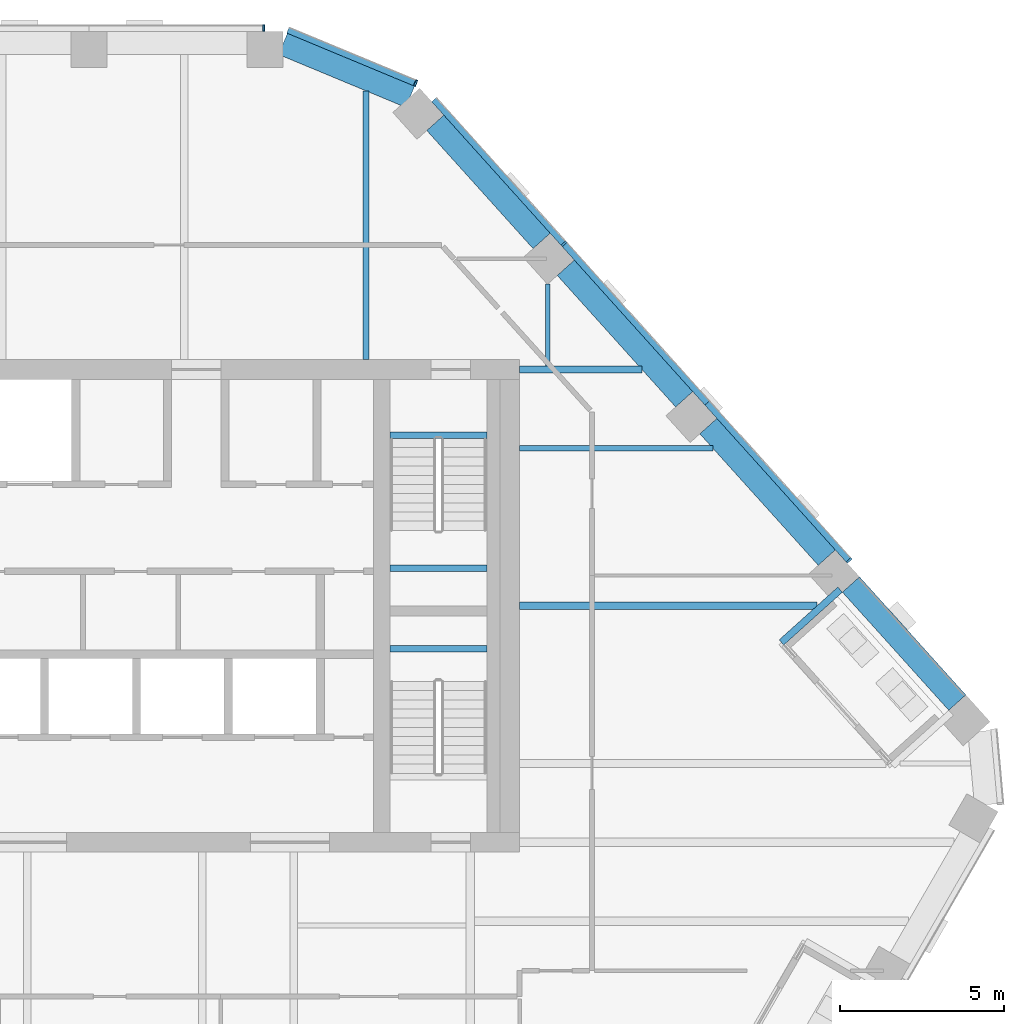
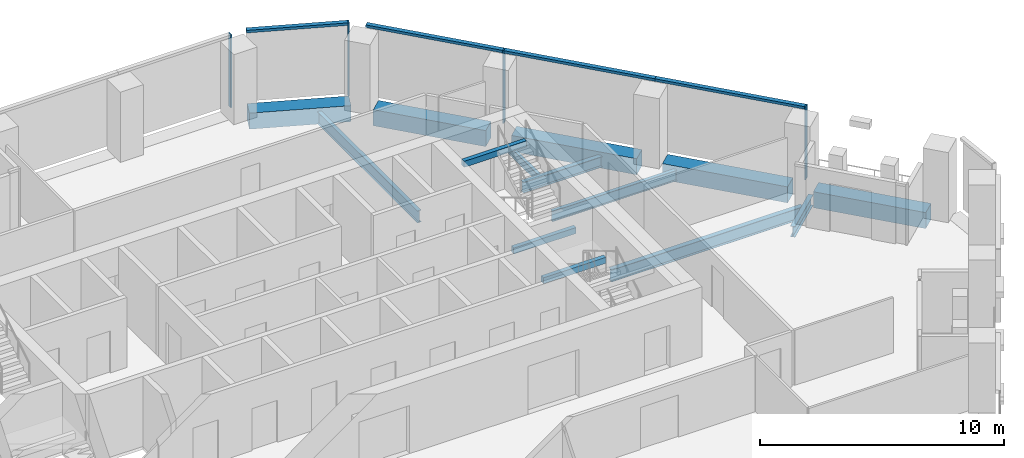
# One storey, part 9 of 25: 14 beams, 8 members, 3 elements without a shape of their own.
"""IFC4 building model written with IfcOpenShell, lengths in metres."""

import ifcopenshell
import ifcopenshell.guid

model = None  # the IFC model being written
_history = None  # IfcOwnerHistory: only IFC2X3 demands one
_inside = {}  # id of a spatial element -> (the spatial element, [elements in it])
_under = {}  # id of a project, library or spatial element -> (it, [spatial elements below it])
_declared = {}  # id of a project -> (the project, [libraries it declares])
_typed = {}  # id of a type object -> (the type object, [elements of that type])
_made_of = {}  # id of a material, layer set ... -> (it, [elements and type objects made of it])


def new_model(schema):
    """Start an empty IFC model of exactly this schema.

    Asked for "IFC4X3", IfcOpenShell would pick the latest addendum, in which some entities
    have other attributes; the version numbers below select the first issue.
    IFC2X3 requires an IfcOwnerHistory on every rooted entity: one is made here for all.
    """
    global model, _history
    if schema == "IFC4X3":
        model = ifcopenshell.file(schema_version=(4, 3, 0, 0))
    else:
        model = ifcopenshell.file(schema=schema)
    _inside.clear()
    _under.clear()
    _declared.clear()
    _typed.clear()
    _made_of.clear()
    _history = None
    if model.schema == "IFC2X3":
        org = make("IfcOrganization", Name="unknown")
        user = make(
            "IfcPersonAndOrganization",
            ThePerson=make("IfcPerson", FamilyName="unknown"),
            TheOrganization=org,
        )
        app = make(
            "IfcApplication",
            ApplicationDeveloper=org,
            Version="unknown",
            ApplicationFullName="unknown",
            ApplicationIdentifier="unknown",
        )
        _history = make(
            "IfcOwnerHistory",
            OwningUser=user,
            OwningApplication=app,
            ChangeAction="ADDED",
            CreationDate=0,
        )
    return model


def make(cls, **values):
    """One entity of the class cls with the attributes given. An attribute that is None is left unset."""
    return model.create_entity(
        cls, **{name: value for name, value in values.items() if value is not None}
    )


def rooted(cls, **values):
    """An entity with a GlobalId (a new one), such as an element, a storey or a relation."""
    return make(cls, GlobalId=ifcopenshell.guid.new(), OwnerHistory=_history, **values)


def si_unit(unit_type, name, prefix=None):
    """IfcSIUnit, for example si_unit("LENGTHUNIT", "METRE", prefix="MILLI")."""
    return make("IfcSIUnit", UnitType=unit_type, Prefix=prefix, Name=name)


def assignment(units):
    """IfcUnitAssignment: the units of a project."""
    return None if units is None else make("IfcUnitAssignment", Units=units)


def point(xyz):
    """IfcCartesianPoint."""
    return None if xyz is None else make("IfcCartesianPoint", Coordinates=xyz)


def direction(xyz):
    """IfcDirection."""
    return None if xyz is None else make("IfcDirection", DirectionRatios=xyz)


def frame(location, z_axis=None, x_axis=None):
    """IfcAxis2Placement3D, a coordinate frame: its origin and axes. An axis left out is left unset."""
    return make(
        "IfcAxis2Placement3D",
        Location=point(location),
        Axis=direction(z_axis),
        RefDirection=direction(x_axis),
    )


def frame_2d(location, x_axis=None):
    """IfcAxis2Placement2D, a coordinate frame in the plane: its origin and x axis."""
    return make(
        "IfcAxis2Placement2D", Location=point(location), RefDirection=direction(x_axis)
    )


def origin():
    """The frame at (0, 0, 0) with its axes left unset."""
    return frame((0.0, 0.0, 0.0))


def origin_2d():
    """The frame at (0, 0) in the plane with its x axis left unset."""
    return frame_2d((0.0, 0.0))


def place(relative_to, where):
    """IfcLocalPlacement: puts the frame where relative to a parent placement (None: the world)."""
    return make(
        "IfcLocalPlacement", PlacementRelTo=relative_to, RelativePlacement=where
    )


def context(
    kind, dimensions, precision=None, world=None, true_north=None, identifier=None
):
    """IfcGeometricRepresentationContext, for example the 3D "Model" context."""
    return make(
        "IfcGeometricRepresentationContext",
        ContextIdentifier=identifier,
        ContextType=kind,
        CoordinateSpaceDimension=dimensions,
        Precision=precision,
        WorldCoordinateSystem=world,
        TrueNorth=true_north,
    )


def subcontext(parent, identifier, kind, view, scale=None):
    """IfcGeometricRepresentationSubContext, for example "Body" below "Model"."""
    return make(
        "IfcGeometricRepresentationSubContext",
        ContextIdentifier=identifier,
        ContextType=kind,
        ParentContext=parent,
        TargetScale=scale,
        TargetView=view,
    )


def project(units=None, contexts=None):
    """IfcProject with its units and contexts."""
    return rooted(
        "IfcProject",
        Name="project",
        RepresentationContexts=contexts,
        UnitsInContext=assignment(units),
    )


def spatial(cls, under=None, at=None, **own):
    """A site, building, storey or space (cls), placed at a placement, below another one or the project."""
    s = rooted(cls, ObjectPlacement=at, **own)
    if under is not None:
        _under.setdefault(under.id(), (under, []))[1].append(s)
    return s


def profile(cls, at=None, kind="AREA", **sizes):
    """A parametric profile (cls). Its sizes go by their IFC names, for example OverallWidth=200.0."""
    return make(cls, ProfileType=kind, Position=at, **sizes)


def rectangle(**sizes):
    """IfcRectangleProfileDef."""
    return profile("IfcRectangleProfileDef", **sizes)


def i_section(**sizes):
    """IfcIShapeProfileDef."""
    return profile("IfcIShapeProfileDef", **sizes)


def extrude(swept, where, along, depth):
    """IfcExtrudedAreaSolid: the profile swept, set in the frame where, extruded along a direction by depth."""
    return make(
        "IfcExtrudedAreaSolid",
        SweptArea=swept,
        Position=where,
        ExtrudedDirection=direction(along),
        Depth=depth,
    )


def shape(context_of_items, identifier, shape_type, items):
    """IfcShapeRepresentation: the items that make up one representation, for example the "Body"."""
    return make(
        "IfcShapeRepresentation",
        ContextOfItems=context_of_items,
        RepresentationIdentifier=identifier,
        RepresentationType=shape_type,
        Items=items,
    )


def material(Name=None, Category=None):
    """IfcMaterial."""
    return make("IfcMaterial", Name=Name, Category=Category)


def layer(
    of_material, thickness, ventilated=None, Name=None, Category=None, Priority=None
):
    """IfcMaterialLayer: one layer of a wall or slab, of a material (None: an air gap)."""
    return make(
        "IfcMaterialLayer",
        Material=of_material,
        LayerThickness=thickness,
        IsVentilated=ventilated,
        Name=Name,
        Category=Category,
        Priority=Priority,
    )


def layer_set(layers, Name=None):
    """IfcMaterialLayerSet."""
    return make("IfcMaterialLayerSet", MaterialLayers=layers, LayerSetName=Name)


def material_profile(
    of_material, cross_section, Name=None, Category=None, Priority=None
):
    """IfcMaterialProfile: a cross section and its material."""
    return make(
        "IfcMaterialProfile",
        Name=Name,
        Material=of_material,
        Profile=cross_section,
        Priority=Priority,
        Category=Category,
    )


def profile_set(profiles, Name=None, composite=None):
    """IfcMaterialProfileSet."""
    return make(
        "IfcMaterialProfileSet",
        Name=Name,
        MaterialProfiles=profiles,
        CompositeProfile=composite,
    )


def made_of(thing, what):
    """Note that an element or type object is made of a material, layer set ...; save() writes the relation."""
    if what is not None:
        _made_of.setdefault(what.id(), (what, []))[1].append(thing)
    return thing


def type_object(cls, material=None, **own):
    """A type object (cls), such as IfcWallType, which elements share."""
    return made_of(rooted(cls, **own), material)


def element(
    cls,
    number,
    at=None,
    inside=None,
    cuts=None,
    type_object=None,
    material=None,
    context=None,
    identifier="Body",
    shape_type=None,
    held_by="IfcProductDefinitionShape",
    body=None,
    shapes=None,
    **own,
):
    """One element of the class cls, such as IfcWall. Its Tag is "e" and its number.

    at: its placement. inside: the storey or other place that contains it. cuts: it is an
    opening in that element (IfcRelVoidsElement). A single representation is given by context,
    identifier, shape_type and body (its items); several are given by shapes. held_by: the class
    of the entity that holds the representations. save() writes the other relations.
    """
    e = rooted(cls, Tag="e%d" % number, ObjectPlacement=at, **own)
    if body is not None:
        shapes = [shape(context, identifier, shape_type, body)]
    if shapes is not None:
        e.Representation = make(held_by, Representations=shapes)
    if inside is not None:
        _inside.setdefault(inside.id(), (inside, []))[1].append(e)
    if cuts is not None:
        rooted(
            "IfcRelVoidsElement", RelatingBuildingElement=cuts, RelatedOpeningElement=e
        )
    if type_object is not None:
        _typed.setdefault(type_object.id(), (type_object, []))[1].append(e)
    return made_of(e, material)


def aggregate(whole, parts):
    """IfcRelAggregates: a whole, such as a stair, and the parts it consists of."""
    return rooted("IfcRelAggregates", RelatingObject=whole, RelatedObjects=parts)


def save(model, path):
    """Write the relations noted so far, then the file.

    IfcRelAggregates (storeys below a building ...), IfcRelContainedInSpatialStructure (elements
    in a storey), IfcRelDefinesByType, IfcRelAssociatesMaterial and IfcRelDeclares: one each for
    every whole, place, type object, material and project.
    """
    for whole, parts in _under.values():
        aggregate(whole, parts)
    for where, things in _inside.values():
        rooted(
            "IfcRelContainedInSpatialStructure",
            RelatedElements=things,
            RelatingStructure=where,
        )
    for kind, things in _typed.values():
        rooted("IfcRelDefinesByType", RelatedObjects=things, RelatingType=kind)
    for what, things in _made_of.values():
        rooted("IfcRelAssociatesMaterial", RelatedObjects=things, RelatingMaterial=what)
    for by, libraries in _declared.values():
        rooted("IfcRelDeclares", RelatingContext=by, RelatedDefinitions=libraries)
    model.write(path)


model = new_model("IFC4")

# Units and contexts
model_context = context("Model", 3, precision=1e-05, world=origin(), true_north=direction((0.0, 1.0)))
body_context = subcontext(model_context, "Body", "Model", "MODEL_VIEW")
ifc_project = project(units=[si_unit("LENGTHUNIT", "METRE"), si_unit("AREAUNIT", "SQUARE_METRE"), si_unit("VOLUMEUNIT", "CUBIC_METRE"), si_unit("PLANEANGLEUNIT", "RADIAN"), si_unit("MASSUNIT", "GRAM", prefix="KILO")], contexts=[model_context])

# Site, building, storey
site_placement = place(None, origin())
site = spatial("IfcSite", under=ifc_project, at=site_placement, CompositionType="ELEMENT")
building_placement = place(site_placement, origin())
building = spatial("IfcBuilding", under=site, at=building_placement, Name="Isthmus Gate Tower", CompositionType="ELEMENT")
storey_placement = place(building_placement, frame((0.0, 0.0, 249.14990234375)))
storey = spatial("IfcBuildingStorey", under=building, at=storey_placement, Name="L63", CompositionType="ELEMENT", Elevation=249.14990234375)

# Curtain wall, member
ifc_material_1 = material(Name="Aluminium, pale champagne anodised", Category="aluminium")
ifc_layer = layer(ifc_material_1, 0.199951171875)
ifc_layer_set = layer_set([ifc_layer], Name="CW-1 UNITISED CURTAIN WALL 200 DEEP")
curtain_wall_type = type_object("IfcCurtainWallType", Name="CW-1 UNITISED CURTAIN WALL 200 DEEP", PredefinedType="NOTDEFINED", material=ifc_layer_set)
curtain_wall_1_placement = place(storey_placement, origin())
curtain_wall_1 = element("IfcCurtainWall", 1, at=curtain_wall_1_placement, inside=storey, type_object=curtain_wall_type, Name="CW-1 N L63", PredefinedType="NOTDEFINED")
ifc_material_2 = material(Name="Aluminium, pale champagne anodised", Category="aluminium")
ifc_material_profile_1 = material_profile(ifc_material_2, rectangle(XDim=0.06005859375, YDim=0.199951171875, at=origin_2d()), Name="60x200")
ifc_profile_set_1 = profile_set([ifc_material_profile_1], Name="Aluminium, pale champagne anodised")
member_type_1 = type_object("IfcMemberType", Name="CW-1 MULLION 60 X 200", PredefinedType="MULLION", material=ifc_profile_set_1)
member_1_placement = place(storey_placement, frame((7.211181640625, 25.10009765625, 0.0), z_axis=(0.0, 0.0, 1.0), x_axis=(-1.0, 0.0, 0.0)))
member_1 = element("IfcMember", 2, at=member_1_placement, type_object=member_type_1, Name="CW-1 mullion", PredefinedType="MULLION", context=body_context, shape_type="SweptSolid", body=[
    extrude(rectangle(XDim=0.06005859375, YDim=0.199951171875, at=origin_2d()), origin(), (0.0, 0.0, 1.0), 3.650146484375),
])
aggregate(curtain_wall_1, [member_1])

# Curtain wall, members
curtain_wall_2_placement = place(storey_placement, origin())
curtain_wall_2 = element("IfcCurtainWall", 3, at=curtain_wall_2_placement, inside=storey, type_object=curtain_wall_type, Name="CW-1 NE L63", PredefinedType="NOTDEFINED")
member_2_placement = place(storey_placement, frame((25.040283203125, 8.884765625, 0.0), z_axis=(0.0, 0.0, 1.0), x_axis=(-0.669130606359, 0.743144825477, 0.0)))
member_2 = element("IfcMember", 4, at=member_2_placement, type_object=member_type_1, Name="CW-1 mullion", PredefinedType="MULLION", context=body_context, shape_type="SweptSolid", body=[
    extrude(rectangle(XDim=0.06005859375, YDim=0.199951171875, at=origin_2d()), origin(), (0.0, 0.0, 1.0), 3.650146484375),
])
member_3_placement = place(storey_placement, frame((16.3525390625, 18.53369140625, 0.0), z_axis=(0.0, 0.0, 1.0), x_axis=(-0.669130606359, 0.743144825477, 0.0)))
member_3 = element("IfcMember", 5, at=member_3_placement, type_object=member_type_1, Name="CW-1 mullion", PredefinedType="MULLION", context=body_context, shape_type="SweptSolid", body=[
    extrude(rectangle(XDim=0.06005859375, YDim=0.199951171875, at=origin_2d()), origin(), (0.0, 0.0, 1.0), 3.650146484375),
])

# Curtain wall, member
curtain_wall_3_placement = place(storey_placement, origin())
curtain_wall_3 = element("IfcCurtainWall", 6, at=curtain_wall_3_placement, inside=storey, type_object=curtain_wall_type, Name="CW-1 NE-N L63", PredefinedType="NOTDEFINED")
member_4_placement = place(storey_placement, frame((11.83349609375, 23.427490234375, 0.0), z_axis=(0.0, 0.0, 1.0), x_axis=(-0.923353128387, 0.383951820282, 0.0)))
member_4 = element("IfcMember", 7, at=member_4_placement, type_object=member_type_1, Name="CW-1 mullion", PredefinedType="MULLION", context=body_context, shape_type="SweptSolid", body=[
    extrude(rectangle(XDim=0.06005859375, YDim=0.199951171875, at=origin_2d()), origin(), (0.0, 0.0, 1.0), 3.650146484375),
])

# Member
ifc_material_3 = material(Name="Aluminium, pale champagne anodised", Category="aluminium")
ifc_material_profile_2 = material_profile(ifc_material_3, rectangle(XDim=0.199951171875, YDim=0.1298828125, at=origin_2d()), Name="200x130")
ifc_profile_set_2 = profile_set([ifc_material_profile_2], Name="Aluminium, pale champagne anodised")
member_type_2 = type_object("IfcMemberType", Name="CW-1 TRANSOM 200 X 130", PredefinedType="USERDEFINED", material=ifc_profile_set_2)
member_5_placement = place(storey_placement, frame((25.020263671875, 8.906982421875, 3.585205078125), z_axis=(-0.669109417642, 0.743163903337, 0.0), x_axis=(-0.743163903337, -0.669109417642, 0.0)))
member_5 = element("IfcMember", 8, at=member_5_placement, type_object=member_type_2, Name="CW-1 transom", ObjectType="TRANSOM", PredefinedType="USERDEFINED", context=body_context, shape_type="SweptSolid", body=[
    extrude(rectangle(XDim=0.199951171875, YDim=0.1298828125, at=origin_2d()), origin(), (0.0, 0.0, 1.0), 6.431884765625),
])

member_6_placement = place(storey_placement, frame((20.716552734375, 13.68701171875, 3.585205078125), z_axis=(-0.669151709479, 0.7431258236, 0.0), x_axis=(-0.7431258236, -0.669151709479, 0.0)))
member_6 = element("IfcMember", 9, at=member_6_placement, type_object=member_type_2, Name="CW-1 transom", ObjectType="TRANSOM", PredefinedType="USERDEFINED", context=body_context, shape_type="SweptSolid", body=[
    extrude(rectangle(XDim=0.199951171875, YDim=0.1298828125, at=origin_2d()), origin(), (0.0, 0.0, 1.0), 6.49169921875),
])

member_7_placement = place(storey_placement, frame((16.33251953125, 18.555908203125, 3.585205078125), z_axis=(-0.669134411332, 0.743141399447, 0.0), x_axis=(-0.743141399447, -0.669134411332, 0.0)))
member_7 = element("IfcMember", 10, at=member_7_placement, type_object=member_type_2, Name="CW-1 transom", ObjectType="TRANSOM", PredefinedType="USERDEFINED", context=body_context, shape_type="SweptSolid", body=[
    extrude(rectangle(XDim=0.199951171875, YDim=0.1298828125, at=origin_2d()), origin(), (0.0, 0.0, 1.0), 5.8818359375),
])

aggregate(curtain_wall_2, [member_2, member_5, member_6, member_3, member_7])

member_8_placement = place(storey_placement, frame((11.8056640625, 23.43896484375, 3.585205078125), z_axis=(-0.923358236369, 0.383939536033, 0.0), x_axis=(-0.383939536033, -0.923358236369, 0.0)))
member_8 = element("IfcMember", 11, at=member_8_placement, type_object=member_type_2, Name="CW-1 transom", ObjectType="TRANSOM", PredefinedType="USERDEFINED", context=body_context, shape_type="SweptSolid", body=[
    extrude(rectangle(XDim=0.199951171875, YDim=0.1298828125, at=origin_2d()), origin(), (0.0, 0.0, 1.0), 4.181640625),
])

aggregate(curtain_wall_3, [member_4, member_8])

# Beams
ifc_material_4 = material(Name="Concrete f'c 50 MPa", Category="concrete")
ifc_material_profile_3 = material_profile(ifc_material_4, rectangle(XDim=0.699951171875, YDim=0.800048828125, at=origin_2d()), Name="RC 700X800")
ifc_profile_set_3 = profile_set([ifc_material_profile_3], Name="Concrete f'c 50 MPa")
beam_type_1 = type_object("IfcBeamType", Name="RC SPANDREL 700 X 800", PredefinedType="SPANDREL", material=ifc_profile_set_3)
beam_1_placement = place(storey_placement, frame((7.791015625, 24.620849609375, -0.39990234375), z_axis=(0.923360646135, -0.383933740597, 0.0), x_axis=(0.383933740597, 0.923360646135, 0.0)))
element("IfcBeam", 12, at=beam_1_placement, inside=storey, type_object=beam_type_1, Name="str-spandrel-L63-00", PredefinedType="SPANDREL", context=body_context, shape_type="SweptSolid", body=[
    extrude(rectangle(XDim=0.699951171875, YDim=0.800048828125, at=origin_2d()), origin(), (0.0, 0.0, 1.0), 4.19677734375),
])
beam_2_placement = place(storey_placement, frame((12.43017578125, 22.21728515625, -0.39990234375), z_axis=(0.669129069044, -0.743146209679, 0.0), x_axis=(0.743146209679, 0.669129069044, 0.0)))
element("IfcBeam", 13, at=beam_2_placement, inside=storey, type_object=beam_type_1, Name="str-spandrel-L63-01", PredefinedType="SPANDREL", context=body_context, shape_type="SweptSolid", body=[
    extrude(rectangle(XDim=0.699951171875, YDim=0.800048828125, at=origin_2d()), origin(), (0.0, 0.0, 1.0), 4.842041015625),
])
beam_3_placement = place(storey_placement, frame((16.40625, 17.801513671875, -0.39990234375), z_axis=(0.669122314994, -0.743152290972, 0.0), x_axis=(0.743152290972, 0.669122314994, 0.0)))
element("IfcBeam", 14, at=beam_3_placement, inside=storey, type_object=beam_type_1, Name="str-spandrel-L63-02", PredefinedType="SPANDREL", context=body_context, shape_type="SweptSolid", body=[
    extrude(rectangle(XDim=0.699951171875, YDim=0.800048828125, at=origin_2d()), origin(), (0.0, 0.0, 1.0), 5.39208984375),
])
beam_4_placement = place(storey_placement, frame((20.75, 12.97705078125, -0.39990234375), z_axis=(0.669144830508, -0.743132017749, 0.0), x_axis=(0.743132017749, 0.669144830508, 0.0)))
element("IfcBeam", 15, at=beam_4_placement, inside=storey, type_object=beam_type_1, Name="str-spandrel-L63-03", PredefinedType="SPANDREL", context=body_context, shape_type="SweptSolid", body=[
    extrude(rectangle(XDim=0.699951171875, YDim=0.800048828125, at=origin_2d()), origin(), (0.0, 0.0, 1.0), 5.391845703125),
])
beam_5_placement = place(storey_placement, frame((25.093994140625, 8.152587890625, -0.39990234375), z_axis=(0.669154141686, -0.743123633499, 0.0), x_axis=(0.743123633499, 0.669154141686, 0.0)))
element("IfcBeam", 16, at=beam_5_placement, inside=storey, type_object=beam_type_1, Name="str-spandrel-L63-04", PredefinedType="SPANDREL", context=body_context, shape_type="SweptSolid", body=[
    extrude(rectangle(XDim=0.699951171875, YDim=0.800048828125, at=origin_2d()), origin(), (0.0, 0.0, 1.0), 4.842041015625),
])
ifc_material_5 = material(Name="Concrete f'c 40 MPa", Category="concrete")
ifc_material_profile_4 = material_profile(ifc_material_5, rectangle(XDim=0.199951171875, YDim=0.300048828125, at=origin_2d()), Name="STAIR LANDING BEAM RC 200 X 300")
ifc_profile_set_4 = profile_set([ifc_material_profile_4], Name="Concrete f'c 40 MPa")
beam_type_2 = type_object("IfcBeamType", Name="STAIR LANDING BEAM RC 200 X 300", PredefinedType="BEAM", material=ifc_profile_set_4)
for number, where, z_axis, x_axis, name in (
    (17, (11.050048828125, 8.64990234375, 1.47509765625), (1.0, 0.0, 0.0), (0.0, 1.0, 0.0), "L63 ST2 landing beam 1"),
    (18, (11.050048828125, 12.7001953125, 3.35009765625), (1.0, 0.0, 0.0), (0.0, 1.0, 0.0), "L63 ST2 floor-edge seat beam"),
    (19, (11.050048828125, 6.199951171875, 1.47509765625), (1.0, 0.0, 0.0), (0.0, 1.0, 0.0), "L63 ST8 landing beam 1"),
):
    element("IfcBeam", number, at=place(storey_placement, frame(where, z_axis=z_axis, x_axis=x_axis)), inside=storey, type_object=beam_type_2, Name=name, PredefinedType="BEAM", context=body_context, shape_type="SweptSolid", body=[
        extrude(rectangle(XDim=0.199951171875, YDim=0.300048828125, at=origin_2d()), origin(), (0.0, 0.0, 1.0), 2.949951171875),
    ])
ifc_material_6 = material(Name="Structural steel ASTM A992 Gr 50", Category="steel")
ifc_material_profile_5 = material_profile(ifc_material_6, i_section(OverallWidth=0.1396484375, OverallDepth=0.4033203125, WebThickness=0.00634765625, FlangeThickness=0.010986328125, at=origin_2d()), Name="W16X31")
ifc_profile_set_5 = profile_set([ifc_material_profile_5], Name="Structural steel ASTM A992 Gr 50")
beam_type_3 = type_object("IfcBeamType", Name="STEEL FLOOR BEAM W16X31", PredefinedType="JOIST", material=ifc_profile_set_5)
beam_6_placement = place(storey_placement, frame((15.862060546875, 14.8046875, -0.3515625), z_axis=(0.0, 1.0, 0.0), x_axis=(-1.0, 0.0, 0.0)))
element("IfcBeam", 20, at=beam_6_placement, inside=storey, type_object=beam_type_3, Name="str-beam-L63-08-06", PredefinedType="JOIST", context=body_context, shape_type="SweptSolid", body=[
    extrude(i_section(OverallWidth=0.1396484375, OverallDepth=0.4033203125, WebThickness=0.00634765625, FlangeThickness=0.010986328125, at=origin_2d()), origin(), (0.0, 0.0, 1.0), 2.5068359375),
])
ifc_material_7 = material(Name="Structural steel ASTM A992 Gr 50", Category="steel")
ifc_material_profile_6 = material_profile(ifc_material_7, i_section(OverallWidth=0.1650390625, OverallDepth=0.52392578125, WebThickness=0.009521484375, FlangeThickness=0.010986328125, at=origin_2d()), Name="W21X44")
ifc_profile_set_6 = profile_set([ifc_material_profile_6], Name="Structural steel ASTM A992 Gr 50")
beam_type_4 = type_object("IfcBeamType", Name="STEEL FLOOR BEAM W21X44", PredefinedType="JOIST", material=ifc_profile_set_6)
beam_7_placement = place(storey_placement, frame((15.0, 12.300048828125, -0.411865234375), z_axis=(1.0, 0.0, 0.0), x_axis=(0.0, 1.0, 0.0)))
element("IfcBeam", 21, at=beam_7_placement, inside=storey, type_object=beam_type_4, Name="str-beam-L63-16-03", PredefinedType="JOIST", context=body_context, shape_type="SweptSolid", body=[
    extrude(i_section(OverallWidth=0.1650390625, OverallDepth=0.52392578125, WebThickness=0.009521484375, FlangeThickness=0.010986328125, at=origin_2d()), origin(), (0.0, 0.0, 1.0), 5.888671875),
])
ifc_material_8 = material(Name="Structural steel ASTM A992 Gr 50", Category="steel")
ifc_material_profile_7 = material_profile(ifc_material_8, i_section(OverallWidth=0.177734375, OverallDepth=0.60009765625, WebThickness=0.009521484375, FlangeThickness=0.0126953125, at=origin_2d()), Name="W24X55")
ifc_profile_set_7 = profile_set([ifc_material_profile_7], Name="Structural steel ASTM A992 Gr 50")
beam_type_5 = type_object("IfcBeamType", Name="STEEL FLOOR BEAM W24X55", PredefinedType="JOIST", material=ifc_profile_set_7)
beam_8_placement = place(storey_placement, frame((10.3193359375, 15.0, -0.449951171875), z_axis=(0.0, 1.0, 0.0), x_axis=(-1.0, 0.0, 0.0)))
element("IfcBeam", 22, at=beam_8_placement, inside=storey, type_object=beam_type_5, Name="str-beam-L63-08-05", PredefinedType="JOIST", context=body_context, shape_type="SweptSolid", body=[
    extrude(i_section(OverallWidth=0.177734375, OverallDepth=0.60009765625, WebThickness=0.009521484375, FlangeThickness=0.0126953125, at=origin_2d()), origin(), (0.0, 0.0, 1.0), 8.190673828125),
])
ifc_material_9 = material(Name="Structural steel ASTM A992 Gr 50", Category="steel")
ifc_material_profile_8 = material_profile(ifc_material_9, i_section(OverallWidth=0.228515625, OverallDepth=0.603271484375, WebThickness=0.010986328125, FlangeThickness=0.014404296875, at=origin_2d()), Name="W24X68")
ifc_profile_set_8 = profile_set([ifc_material_profile_8], Name="Structural steel ASTM A992 Gr 50")
beam_type_6 = type_object("IfcBeamType", Name="STEEL FLOOR BEAM W24X68", PredefinedType="JOIST", material=ifc_profile_set_8)
beam_9_placement = place(storey_placement, frame((15.0, 7.5, -0.451416015625), z_axis=(1.0, 0.0, 0.0), x_axis=(0.0, 1.0, 0.0)))
element("IfcBeam", 23, at=beam_9_placement, inside=storey, type_object=beam_type_6, Name="str-beam-L63-16-02", PredefinedType="JOIST", context=body_context, shape_type="SweptSolid", body=[
    extrude(i_section(OverallWidth=0.228515625, OverallDepth=0.603271484375, WebThickness=0.010986328125, FlangeThickness=0.014404296875, at=origin_2d()), origin(), (0.0, 0.0, 1.0), 9.05615234375),
])
ifc_material_10 = material(Name="Structural steel ASTM A992 Gr 50", Category="steel")
ifc_material_profile_9 = material_profile(ifc_material_10, i_section(OverallWidth=0.20947265625, OverallDepth=0.533447265625, WebThickness=0.009521484375, FlangeThickness=0.015869140625, at=origin_2d()), Name="W21X62")
ifc_profile_set_9 = profile_set([ifc_material_profile_9], Name="Structural steel ASTM A992 Gr 50")
beam_type_7 = type_object("IfcBeamType", Name="STEEL GIRDER W21X62", PredefinedType="BEAM", material=ifc_profile_set_9)
beam_10_placement = place(storey_placement, frame((15.0, 14.699951171875, -0.41650390625), z_axis=(1.0, 0.0, 0.0), x_axis=(0.0, 1.0, 0.0)))
element("IfcBeam", 24, at=beam_10_placement, inside=storey, type_object=beam_type_7, Name="str-girder-L63-12", PredefinedType="BEAM", context=body_context, shape_type="SweptSolid", body=[
    extrude(i_section(OverallWidth=0.20947265625, OverallDepth=0.533447265625, WebThickness=0.009521484375, FlangeThickness=0.015869140625, at=origin_2d()), origin(), (0.0, 0.0, 1.0), 3.727783203125),
])
ifc_material_11 = material(Name="Structural steel ASTM A992 Gr 50", Category="steel")
ifc_material_profile_10 = material_profile(ifc_material_11, i_section(OverallWidth=0.20947265625, OverallDepth=0.533447265625, WebThickness=0.009521484375, FlangeThickness=0.015869140625, at=origin_2d()), Name="W21X62")
ifc_profile_set_10 = profile_set([ifc_material_profile_10], Name="Structural steel ASTM A992 Gr 50")
beam_type_8 = type_object("IfcBeamType", Name="STEEL TRIMMER W21X62", PredefinedType="BEAM", material=ifc_profile_set_10)
beam_11_placement = place(storey_placement, frame((24.763916015625, 7.996337890625, -0.41650390625), z_axis=(-0.743142685208, -0.669132983361, 0.0), x_axis=(0.669132983361, -0.743142685208, 0.0)))
element("IfcBeam", 25, at=beam_11_placement, inside=storey, type_object=beam_type_8, Name="str-loggiatrim-L63-05-C", PredefinedType="BEAM", context=body_context, shape_type="SweptSolid", body=[
    extrude(i_section(OverallWidth=0.20947265625, OverallDepth=0.533447265625, WebThickness=0.009521484375, FlangeThickness=0.015869140625, at=origin_2d()), origin(), (0.0, 0.0, 1.0), 2.40478515625),
])

save(model, "model.ifc")
